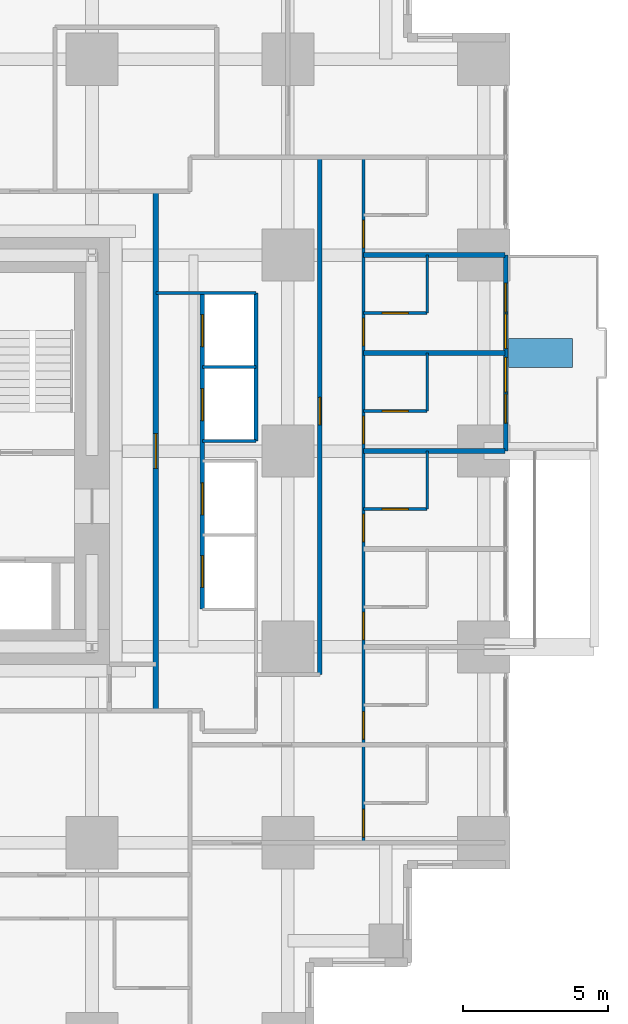
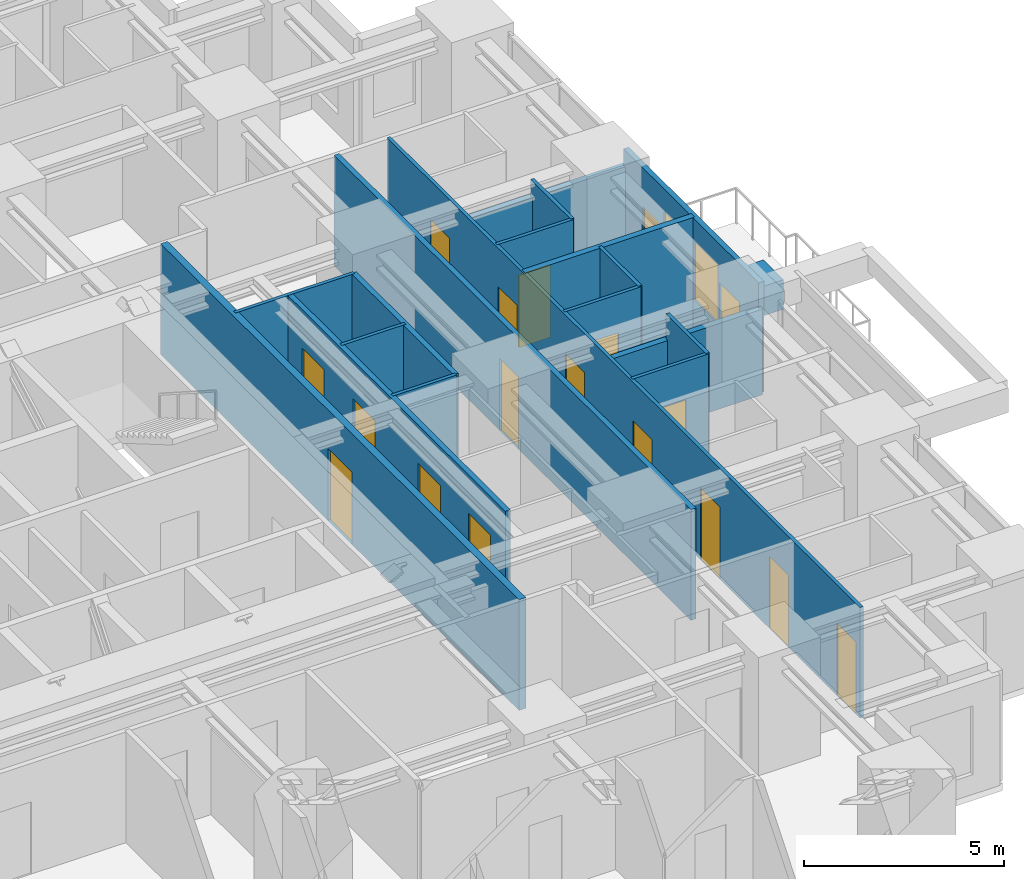
# One storey, part 11 of 14: 19 walls, 18 doors, 2 windows, 20 openings.
"""IFC4 building model written with IfcOpenShell, lengths in metres."""

from ifc_helpers import new_model, si_unit, direction, frame, frame_2d, origin, place, context, subcontext, project, spatial, rectangle, extrude, material, layer, layer_set, type_object, element, fill, save


model = new_model("IFC4")

# Units and contexts
model_context = context("Model", 3, precision=1e-05, world=origin(), true_north=direction((0.0, 1.0)))
body_context = subcontext(model_context, "Body", "Model", "MODEL_VIEW")
ifc_project = project(units=[si_unit("LENGTHUNIT", "METRE"), si_unit("AREAUNIT", "SQUARE_METRE"), si_unit("VOLUMEUNIT", "CUBIC_METRE"), si_unit("PLANEANGLEUNIT", "RADIAN"), si_unit("MASSUNIT", "GRAM", prefix="KILO")], contexts=[model_context])

# Site, building, storey
site_placement = place(None, origin())
site = spatial("IfcSite", under=ifc_project, at=site_placement, CompositionType="ELEMENT")
building_placement = place(site_placement, origin())
building = spatial("IfcBuilding", under=site, at=building_placement, Name="Nyansa Garden Tower", CompositionType="ELEMENT")
storey_placement = place(building_placement, frame((0.0, 0.0, 57.60009765625)))
storey = spatial("IfcBuildingStorey", under=building, at=storey_placement, Name="L15", CompositionType="ELEMENT", Elevation=57.60009765625)

# Walls
ifc_material_1 = material(Name="Dense blockwork, plastered both sides, 55 dB", Category="masonry")
ifc_layer_1 = layer(ifc_material_1, 0.175048828125)
ifc_layer_set_1 = layer_set([ifc_layer_1], Name="Acoustic party wall PW175")
wall_type_1 = type_object("IfcWallType", Name="Acoustic party wall PW175", PredefinedType="PARTITIONING", material=ifc_layer_set_1)
wall_1_placement = place(storey_placement, frame((36.35009765625, 20.25, 0.0), z_axis=(0.0, 0.0, 1.0), x_axis=(1.0, 0.0, 0.0)))
element("IfcWall", 1, at=wall_1_placement, inside=storey, type_object=wall_type_1, Name="Party wall", PredefinedType="PARTITIONING", context=body_context, shape_type="SweptSolid", body=[
    extrude(rectangle(XDim=4.8837890625, YDim=0.175048828125, at=frame_2d((2.44189453125, 0.0))), origin(), (0.0, 0.0, 1.0), 2.60986328125),
])
wall_2_placement = place(storey_placement, frame((36.35009765625, 23.625, 0.0), z_axis=(0.0, 0.0, 1.0), x_axis=(1.0, 0.0, 0.0)))
element("IfcWall", 2, at=wall_2_placement, inside=storey, type_object=wall_type_1, Name="Party wall", PredefinedType="PARTITIONING", context=body_context, shape_type="SweptSolid", body=[
    extrude(rectangle(XDim=4.8837890625, YDim=0.175048828125, at=frame_2d((2.44189453125, 0.0))), origin(), (0.0, 0.0, 1.0), 3.375),
])
wall_3_placement = place(storey_placement, frame((36.35009765625, 27.0, 0.0), z_axis=(0.0, 0.0, 1.0), x_axis=(1.0, 0.0, 0.0)))
element("IfcWall", 3, at=wall_3_placement, inside=storey, type_object=wall_type_1, Name="Party wall", PredefinedType="PARTITIONING", context=body_context, shape_type="SweptSolid", body=[
    extrude(rectangle(XDim=4.8837890625, YDim=0.175048828125, at=frame_2d((2.44189453125, 0.0))), origin(), (0.0, 0.0, 1.0), 2.876953125),
])

# Wall, openings, doors, windows
ifc_material_2 = material(Name="Black aluminium framed glazed screen", Category="aluminium")
ifc_layer_2 = layer(ifc_material_2, 0.14990234375)
ifc_layer_set_2 = layer_set([ifc_layer_2], Name="Balcony screen wall BW150")
wall_type_2 = type_object("IfcWallType", Name="Balcony screen wall BW150", PredefinedType="SOLIDWALL", material=ifc_layer_set_2)
wall_4_placement = place(storey_placement, frame((41.25, 27.0, 0.0), z_axis=(0.0, 0.0, 1.0), x_axis=(0.0, -1.0, 0.0)))
wall_4 = element("IfcWall", 4, at=wall_4_placement, inside=storey, type_object=wall_type_2, Name="Glazed screen wall L15 E", PredefinedType="SOLIDWALL", context=body_context, shape_type="SweptSolid", body=[
    extrude(rectangle(XDim=6.75, YDim=0.14990234375, at=frame_2d((3.375, 0.0))), origin(), (0.0, 0.0, 1.0), 3.375),
])
opening_1_placement = place(wall_4_placement, frame((0.96240234375, 0.0, 0.0)))
opening_1 = element("IfcOpeningElement", 5, at=opening_1_placement, cuts=wall_4, Name="Opening D20", PredefinedType="OPENING", context=body_context, shape_type="SweptSolid", body=[
    extrude(rectangle(XDim=1.0, YDim=2.199951171875, at=frame_2d((0.5, 1.10009765625))), frame((0.0, 0.0849609375, 0.0), z_axis=(0.0, -1.0, 0.0), x_axis=(1.0, 0.0, 0.0)), (0.0, 0.0, 1.0), 0.169921875),
])
opening_2_placement = place(wall_4_placement, frame((2.02490234375, 0.0, 0.89990234375)))
opening_2 = element("IfcOpeningElement", 6, at=opening_2_placement, cuts=wall_4, Name="Opening W6", PredefinedType="OPENING", context=body_context, shape_type="SweptSolid", body=[
    extrude(rectangle(XDim=1.199951171875, YDim=1.800048828125, at=frame_2d((0.60009765625, 0.89990234375))), frame((0.0, 0.0849609375, 0.0), z_axis=(0.0, -1.0, 0.0), x_axis=(1.0, 0.0, 0.0)), (0.0, 0.0, 1.0), 0.169921875),
])
opening_3_placement = place(wall_4_placement, frame((4.78759765625, 0.0, 0.0)))
opening_3 = element("IfcOpeningElement", 7, at=opening_3_placement, cuts=wall_4, Name="Opening D20", PredefinedType="OPENING", context=body_context, shape_type="SweptSolid", body=[
    extrude(rectangle(XDim=1.0, YDim=2.199951171875, at=frame_2d((0.5, 1.10009765625))), frame((0.0, 0.0849609375, 0.0), z_axis=(0.0, -1.0, 0.0), x_axis=(1.0, 0.0, 0.0)), (0.0, 0.0, 1.0), 0.169921875),
])
opening_4_placement = place(wall_4_placement, frame((3.52490234375, 0.0, 0.89990234375)))
opening_4 = element("IfcOpeningElement", 8, at=opening_4_placement, cuts=wall_4, Name="Opening W6", PredefinedType="OPENING", context=body_context, shape_type="SweptSolid", body=[
    extrude(rectangle(XDim=1.199951171875, YDim=1.800048828125, at=frame_2d((0.60009765625, 0.89990234375))), frame((0.0, 0.0849609375, 0.0), z_axis=(0.0, -1.0, 0.0), x_axis=(1.0, 0.0, 0.0)), (0.0, 0.0, 1.0), 0.169921875),
])
ifc_material_3 = material(Name="Black aluminium framed glazed door", Category="aluminium")
door_type_1 = type_object("IfcDoorType", Name="Balcony door D20 1000x2200", OperationType="NOTDEFINED", PredefinedType="DOOR", material=ifc_material_3)
door_1_placement = place(opening_1_placement, origin())
door_1 = element("IfcDoor", 9, at=door_1_placement, inside=storey, type_object=door_type_1, Name="Balcony door L15", OperationType="SINGLE_SWING_LEFT", OverallHeight=2.199951171875, OverallWidth=1.0, PredefinedType="DOOR", context=body_context, shape_type="SweptSolid", body=[
    extrude(rectangle(XDim=1.0, YDim=2.199951171875, at=frame_2d((0.5, 1.10009765625))), frame((0.0, 0.02490234375, 0.0), z_axis=(0.0, -1.0, 0.0), x_axis=(1.0, 0.0, 0.0)), (0.0, 0.0, 1.0), 0.050048828125),
])
fill(opening_1, door_1)
door_2_placement = place(opening_3_placement, origin())
door_2 = element("IfcDoor", 10, at=door_2_placement, inside=storey, type_object=door_type_1, Name="Balcony door L15", OperationType="SINGLE_SWING_RIGHT", OverallHeight=2.199951171875, OverallWidth=1.0, PredefinedType="DOOR", context=body_context, shape_type="SweptSolid", body=[
    extrude(rectangle(XDim=1.0, YDim=2.199951171875, at=frame_2d((0.5, 1.10009765625))), frame((0.0, 0.02490234375, 0.0), z_axis=(0.0, -1.0, 0.0), x_axis=(1.0, 0.0, 0.0)), (0.0, 0.0, 1.0), 0.050048828125),
])
fill(opening_3, door_2)
ifc_material_4 = material(Name="Black aluminium frame, dark tinted double glazing", Category="aluminium")
window_type = type_object("IfcWindowType", Name="Balcony window W6 1200x1800", PartitioningType="SINGLE_PANEL", PredefinedType="WINDOW", material=ifc_material_4)
window_1_placement = place(opening_2_placement, origin())
window_1 = element("IfcWindow", 11, at=window_1_placement, inside=storey, type_object=window_type, Name="Window L15", OverallHeight=1.800048828125, OverallWidth=1.199951171875, PartitioningType="SINGLE_PANEL", PredefinedType="WINDOW", context=body_context, shape_type="SweptSolid", body=[
    extrude(rectangle(XDim=1.199951171875, YDim=1.800048828125, at=frame_2d((0.60009765625, 0.89990234375))), frame((0.0, 0.030029296875, 0.0), z_axis=(0.0, -1.0, 0.0), x_axis=(1.0, 0.0, 0.0)), (0.0, 0.0, 1.0), 0.06005859375),
])
fill(opening_2, window_1)
window_2_placement = place(opening_4_placement, origin())
window_2 = element("IfcWindow", 12, at=window_2_placement, inside=storey, type_object=window_type, Name="Window L15", OverallHeight=1.800048828125, OverallWidth=1.199951171875, PartitioningType="SINGLE_PANEL", PredefinedType="WINDOW", context=body_context, shape_type="SweptSolid", body=[
    extrude(rectangle(XDim=1.199951171875, YDim=1.800048828125, at=frame_2d((0.60009765625, 0.89990234375))), frame((0.0, 0.030029296875, 0.0), z_axis=(0.0, -1.0, 0.0), x_axis=(1.0, 0.0, 0.0)), (0.0, 0.0, 1.0), 0.06005859375),
])
fill(opening_4, window_2)

# Wall, opening, door
ifc_material_5 = material(Name="Concrete blockwork, plastered, 60 minute fire resisting", Category="masonry")
ifc_layer_3 = layer(ifc_material_5, 0.199951171875)
ifc_layer_set_3 = layer_set([ifc_layer_3], Name="Corridor wall FW200")
wall_type_3 = type_object("IfcWallType", Name="Corridor wall FW200", PredefinedType="PARTITIONING", material=ifc_layer_set_3)
wall_5_placement = place(storey_placement, frame((29.199951171875, 11.300048828125, 0.0), z_axis=(0.0, 0.0, 1.0), x_axis=(0.0, 1.0, 0.0)))
wall_5 = element("IfcWall", 13, at=wall_5_placement, inside=storey, type_object=wall_type_3, Name="Corridor wall", PredefinedType="PARTITIONING", context=body_context, shape_type="SweptSolid", body=[
    extrude(rectangle(XDim=17.89990234375, YDim=0.199951171875, at=frame_2d((8.949951171875, 0.0))), origin(), (0.0, 0.0, 1.0), 3.375),
])
opening_5_placement = place(wall_5_placement, frame((8.35009765625, 0.0, 0.0)))
opening_5 = element("IfcOpeningElement", 14, at=opening_5_placement, cuts=wall_5, Name="Opening D06", PredefinedType="OPENING", context=body_context, shape_type="SweptSolid", body=[
    extrude(rectangle(XDim=1.199951171875, YDim=2.199951171875, at=frame_2d((0.60009765625, 1.10009765625))), frame((0.0, 0.10986328125, 0.0), z_axis=(0.0, -1.0, 0.0), x_axis=(1.0, 0.0, 0.0)), (0.0, 0.0, 1.0), 0.219970703125),
])
ifc_material_6 = material(Name="Steel door, 120 minute fire resisting", Category="steel")
door_type_2 = type_object("IfcDoorType", Name="Lobby door D06 1200x2200", OperationType="DOUBLE_DOOR_SINGLE_SWING", PredefinedType="DOOR", material=ifc_material_6)
door_3_placement = place(opening_5_placement, origin())
door_3 = element("IfcDoor", 15, at=door_3_placement, inside=storey, type_object=door_type_2, Name="Low-rise lift lobby door", OperationType="DOUBLE_DOOR_SINGLE_SWING", OverallHeight=2.199951171875, OverallWidth=1.199951171875, PredefinedType="DOOR", context=body_context, shape_type="SweptSolid", body=[
    extrude(rectangle(XDim=1.199951171875, YDim=2.199951171875, at=frame_2d((0.60009765625, 1.10009765625))), frame((0.0, 0.02490234375, 0.0), z_axis=(0.0, -1.0, 0.0), x_axis=(1.0, 0.0, 0.0)), (0.0, 0.0, 1.0), 0.050048828125),
])
fill(opening_5, door_3)

# Walls
ifc_material_7 = material(Name="Steel-stud shaft wall, two layers fire-rated board, EI 120", Category="steel")
ifc_layer_4 = layer(ifc_material_7, 0.10009765625)
ifc_layer_set_4 = layer_set([ifc_layer_4], Name="Lift shaft wall SW100")
wall_type_4 = type_object("IfcWallType", Name="Lift shaft wall SW100", PredefinedType="SHEAR", material=ifc_layer_set_4)
wall_6_placement = place(storey_placement, frame((29.199951171875, 25.699951171875, 0.0), z_axis=(0.0, 0.0, 1.0), x_axis=(1.0, 0.0, 0.0)))
element("IfcWall", 16, at=wall_6_placement, inside=storey, type_object=wall_type_4, Name="Lift shaft wall", PredefinedType="SHEAR", context=body_context, shape_type="SweptSolid", body=[
    extrude(rectangle(XDim=3.449951171875, YDim=0.10009765625, at=frame_2d((1.72509765625, 0.0))), origin(), (0.0, 0.0, 1.0), 3.375),
])
for number, where, z_axis, x_axis, name in (
    (17, (30.800048828125, 20.60009765625, 0.0), (0.0, 0.0, 1.0), (1.0, 0.0, 0.0), "Lift shaft wall"),
    (18, (30.800048828125, 23.14990234375, 0.0), (0.0, 0.0, 1.0), (1.0, 0.0, 0.0), "Lift shaft wall"),
):
    element("IfcWall", number, at=place(storey_placement, frame(where, z_axis=z_axis, x_axis=x_axis)), inside=storey, type_object=wall_type_4, Name=name, PredefinedType="SHEAR", context=body_context, shape_type="SweptSolid", body=[
        extrude(rectangle(XDim=1.849853515625, YDim=0.10009765625, at=frame_2d((0.9248046875, 0.0))), origin(), (0.0, 0.0, 1.0), 3.375),
    ])

# Wall, openings, doors
ifc_material_8 = material(Name="Blockwork, plastered both sides", Category="masonry")
ifc_layer_5 = layer(ifc_material_8, 0.14990234375)
ifc_layer_set_5 = layer_set([ifc_layer_5], Name="Partition PW150")
wall_type_5 = type_object("IfcWallType", Name="Partition PW150", PredefinedType="PARTITIONING", material=ifc_layer_set_5)
wall_7_placement = place(storey_placement, frame((30.800048828125, 14.800048828125, 0.0), z_axis=(0.0, 0.0, 1.0), x_axis=(0.0, 1.0, 0.0)))
wall_7 = element("IfcWall", 19, at=wall_7_placement, inside=storey, type_object=wall_type_5, Name="Partition", PredefinedType="PARTITIONING", context=body_context, shape_type="SweptSolid", body=[
    extrude(rectangle(XDim=10.89990234375, YDim=0.14990234375, at=frame_2d((5.449951171875, 0.0))), origin(), (0.0, 0.0, 1.0), 3.375),
])
opening_6_placement = place(wall_7_placement, frame((0.75, 0.0, 0.0)))
opening_6 = element("IfcOpeningElement", 20, at=opening_6_placement, cuts=wall_7, Name="Opening LD-A", PredefinedType="OPENING", context=body_context, shape_type="SweptSolid", body=[
    extrude(rectangle(XDim=1.10009765625, YDim=2.199951171875, at=frame_2d((0.550048828125, 1.10009765625))), frame((0.0, 0.0849609375, 0.0), z_axis=(0.0, -1.0, 0.0), x_axis=(1.0, 0.0, 0.0)), (0.0, 0.0, 1.0), 0.169921875),
])
opening_7_placement = place(wall_7_placement, frame((3.25, 0.0, 0.0)))
opening_7 = element("IfcOpeningElement", 21, at=opening_7_placement, cuts=wall_7, Name="Opening LD-A", PredefinedType="OPENING", context=body_context, shape_type="SweptSolid", body=[
    extrude(rectangle(XDim=1.10009765625, YDim=2.199951171875, at=frame_2d((0.550048828125, 1.10009765625))), frame((0.0, 0.0849609375, 0.0), z_axis=(0.0, -1.0, 0.0), x_axis=(1.0, 0.0, 0.0)), (0.0, 0.0, 1.0), 0.169921875),
])
opening_8_placement = place(wall_7_placement, frame((6.5, 0.0, 0.0)))
opening_8 = element("IfcOpeningElement", 22, at=opening_8_placement, cuts=wall_7, Name="Opening LD-A", PredefinedType="OPENING", context=body_context, shape_type="SweptSolid", body=[
    extrude(rectangle(XDim=1.10009765625, YDim=2.199951171875, at=frame_2d((0.550048828125, 1.10009765625))), frame((0.0, 0.0849609375, 0.0), z_axis=(0.0, -1.0, 0.0), x_axis=(1.0, 0.0, 0.0)), (0.0, 0.0, 1.0), 0.169921875),
])
opening_9_placement = place(wall_7_placement, frame((9.050048828125, 0.0, 0.0)))
opening_9 = element("IfcOpeningElement", 23, at=opening_9_placement, cuts=wall_7, Name="Opening LD-A", PredefinedType="OPENING", context=body_context, shape_type="SweptSolid", body=[
    extrude(rectangle(XDim=1.10009765625, YDim=2.199951171875, at=frame_2d((0.550048828125, 1.10009765625))), frame((0.0, 0.0849609375, 0.0), z_axis=(0.0, -1.0, 0.0), x_axis=(1.0, 0.0, 0.0)), (0.0, 0.0, 1.0), 0.169921875),
])
ifc_material_9 = material(Name="Stainless steel centre-opening landing door of the low-rise lift, E 120", Category="steel")
door_type_3 = type_object("IfcDoorType", Name="Lift landing door LD-A 1100x2200", OperationType="DOUBLE_DOOR_SLIDING", PredefinedType="DOOR", material=ifc_material_9)
door_4_placement = place(opening_6_placement, origin())
door_4 = element("IfcDoor", 24, at=door_4_placement, inside=storey, type_object=door_type_3, Name="Landing door A1", OperationType="DOUBLE_DOOR_SLIDING", OverallHeight=2.199951171875, OverallWidth=1.10009765625, PredefinedType="DOOR", context=body_context, shape_type="SweptSolid", body=[
    extrude(rectangle(XDim=1.10009765625, YDim=2.199951171875, at=frame_2d((0.550048828125, 1.10009765625))), frame((0.0, 0.02490234375, 0.0), z_axis=(0.0, -1.0, 0.0), x_axis=(1.0, 0.0, 0.0)), (0.0, 0.0, 1.0), 0.050048828125),
])
fill(opening_6, door_4)
door_5_placement = place(opening_7_placement, origin())
door_5 = element("IfcDoor", 25, at=door_5_placement, inside=storey, type_object=door_type_3, Name="Landing door A2", OperationType="DOUBLE_DOOR_SLIDING", OverallHeight=2.199951171875, OverallWidth=1.10009765625, PredefinedType="DOOR", context=body_context, shape_type="SweptSolid", body=[
    extrude(rectangle(XDim=1.10009765625, YDim=2.199951171875, at=frame_2d((0.550048828125, 1.10009765625))), frame((0.0, 0.02490234375, 0.0), z_axis=(0.0, -1.0, 0.0), x_axis=(1.0, 0.0, 0.0)), (0.0, 0.0, 1.0), 0.050048828125),
])
fill(opening_7, door_5)
door_6_placement = place(opening_8_placement, origin())
door_6 = element("IfcDoor", 26, at=door_6_placement, inside=storey, type_object=door_type_3, Name="Landing door A3", OperationType="DOUBLE_DOOR_SLIDING", OverallHeight=2.199951171875, OverallWidth=1.10009765625, PredefinedType="DOOR", context=body_context, shape_type="SweptSolid", body=[
    extrude(rectangle(XDim=1.10009765625, YDim=2.199951171875, at=frame_2d((0.550048828125, 1.10009765625))), frame((0.0, 0.02490234375, 0.0), z_axis=(0.0, -1.0, 0.0), x_axis=(1.0, 0.0, 0.0)), (0.0, 0.0, 1.0), 0.050048828125),
])
fill(opening_8, door_6)
door_7_placement = place(opening_9_placement, origin())
door_7 = element("IfcDoor", 27, at=door_7_placement, inside=storey, type_object=door_type_3, Name="Landing door A4", OperationType="DOUBLE_DOOR_SLIDING", OverallHeight=2.199951171875, OverallWidth=1.10009765625, PredefinedType="DOOR", context=body_context, shape_type="SweptSolid", body=[
    extrude(rectangle(XDim=1.10009765625, YDim=2.199951171875, at=frame_2d((0.550048828125, 1.10009765625))), frame((0.0, 0.02490234375, 0.0), z_axis=(0.0, -1.0, 0.0), x_axis=(1.0, 0.0, 0.0)), (0.0, 0.0, 1.0), 0.050048828125),
])
fill(opening_9, door_7)

# Wall
wall_8_placement = place(storey_placement, frame((32.64990234375, 20.60009765625, 0.0), z_axis=(0.0, 0.0, 1.0), x_axis=(0.0, 1.0, 0.0)))
element("IfcWall", 28, at=wall_8_placement, inside=storey, type_object=wall_type_5, Name="Partition", PredefinedType="PARTITIONING", context=body_context, shape_type="SweptSolid", body=[
    extrude(rectangle(XDim=5.099853515625, YDim=0.14990234375, at=frame_2d((2.5498046875, 0.0))), origin(), (0.0, 0.0, 1.0), 3.375),
])

# Wall, opening, door
wall_9_placement = place(storey_placement, frame((34.85009765625, 12.550048828125, 0.0), z_axis=(0.0, 0.0, 1.0), x_axis=(0.0, 1.0, 0.0)))
wall_9 = element("IfcWall", 29, at=wall_9_placement, inside=storey, type_object=wall_type_5, Name="Partition", PredefinedType="PARTITIONING", context=body_context, shape_type="SweptSolid", body=[
    extrude(rectangle(XDim=17.824951171875, YDim=0.14990234375, at=frame_2d((8.91259765625, 0.0))), origin(), (0.0, 0.0, 1.0), 3.375),
])
opening_10_placement = place(wall_9_placement, frame((8.60009765625, 0.0, 0.0)))
opening_10 = element("IfcOpeningElement", 30, at=opening_10_placement, cuts=wall_9, Name="Opening D01", PredefinedType="OPENING", context=body_context, shape_type="SweptSolid", body=[
    extrude(rectangle(XDim=0.949951171875, YDim=2.199951171875, at=frame_2d((0.47509765625, 1.10009765625))), frame((0.0, 0.0849609375, 0.0), z_axis=(0.0, -1.0, 0.0), x_axis=(1.0, 0.0, 0.0)), (0.0, 0.0, 1.0), 0.169921875),
])
ifc_material_10 = material(Name="Timber flush door, 30 minute fire resisting", Category="wood")
door_type_4 = type_object("IfcDoorType", Name="Bedroom door D01 950x2200", OperationType="SINGLE_SWING_LEFT", PredefinedType="DOOR", material=ifc_material_10)
door_8_placement = place(opening_10_placement, origin())
door_8 = element("IfcDoor", 31, at=door_8_placement, inside=storey, type_object=door_type_4, Name="Door L15-048", OperationType="SINGLE_SWING_LEFT", OverallHeight=2.199951171875, OverallWidth=0.949951171875, PredefinedType="DOOR", context=body_context, shape_type="SweptSolid", body=[
    extrude(rectangle(XDim=0.949951171875, YDim=2.199951171875, at=frame_2d((0.47509765625, 1.10009765625))), frame((0.0, 0.02490234375, 0.0), z_axis=(0.0, -1.0, 0.0), x_axis=(1.0, 0.0, 0.0)), (0.0, 0.0, 1.0), 0.050048828125),
])
fill(opening_10, door_8)

# Wall
ifc_material_11 = material(Name="Concrete C40/50 planter, waterproofed", Category="concrete")
ifc_layer_6 = layer(ifc_material_11, 1.0)
ifc_layer_set_6 = layer_set([ifc_layer_6], Name="Tree planter TP1")
wall_type_6 = type_object("IfcWallType", Name="Tree planter TP1", PredefinedType="USERDEFINED", material=ifc_layer_set_6)
wall_10_placement = place(storey_placement, frame((41.35009765625, 23.625, 0.0), z_axis=(0.0, 0.0, 1.0), x_axis=(1.0, 0.0, 0.0)))
element("IfcWall", 32, at=wall_10_placement, inside=storey, type_object=wall_type_6, Name="Tree planter L15", ObjectType="TREE PLANTER", PredefinedType="USERDEFINED", context=body_context, shape_type="SweptSolid", body=[
    extrude(rectangle(XDim=2.199951171875, YDim=1.0, at=frame_2d((1.10009765625, 0.0))), origin(), (0.0, 0.0, 1.0), 0.89990234375),
])

# Wall, openings, doors
ifc_material_12 = material(Name="Moisture resistant board on steel studs, tiled", Category="steel")
ifc_layer_7 = layer(ifc_material_12, 0.10009765625)
ifc_layer_set_7 = layer_set([ifc_layer_7], Name="Wet wall PW100")
wall_type_7 = type_object("IfcWallType", Name="Wet wall PW100", PredefinedType="PARTITIONING", material=ifc_layer_set_7)
wall_11_placement = place(storey_placement, frame((36.35009765625, 6.75, 0.0), z_axis=(0.0, 0.0, 1.0), x_axis=(0.0, 1.0, 0.0)))
wall_11 = element("IfcWall", 33, at=wall_11_placement, inside=storey, type_object=wall_type_7, Name="Wet wall", PredefinedType="PARTITIONING", context=body_context, shape_type="SweptSolid", body=[
    extrude(rectangle(XDim=23.625, YDim=0.10009765625, at=frame_2d((11.8125, 0.0))), origin(), (0.0, 0.0, 1.0), 3.375),
])
opening_11_placement = place(wall_11_placement, frame((0.199951171875, 0.0, 0.0)))
opening_11 = element("IfcOpeningElement", 34, at=opening_11_placement, cuts=wall_11, Name="Opening D01", PredefinedType="OPENING", context=body_context, shape_type="SweptSolid", body=[
    extrude(rectangle(XDim=0.949951171875, YDim=2.199951171875, at=frame_2d((0.47509765625, 1.10009765625))), frame((0.0, 0.06005859375, 0.0), z_axis=(0.0, -1.0, 0.0), x_axis=(1.0, 0.0, 0.0)), (0.0, 0.0, 1.0), 0.1201171875),
])
opening_12_placement = place(wall_11_placement, frame((3.574951171875, 0.0, 0.0)))
opening_12 = element("IfcOpeningElement", 35, at=opening_12_placement, cuts=wall_11, Name="Opening D14", PredefinedType="OPENING", context=body_context, shape_type="SweptSolid", body=[
    extrude(rectangle(XDim=0.949951171875, YDim=2.199951171875, at=frame_2d((0.47509765625, 1.10009765625))), frame((0.0, 0.06005859375, 0.0), z_axis=(0.0, -1.0, 0.0), x_axis=(1.0, 0.0, 0.0)), (0.0, 0.0, 1.0), 0.1201171875),
])
opening_13_placement = place(wall_11_placement, frame((7.0, 0.0, 0.0)))
opening_13 = element("IfcOpeningElement", 36, at=opening_13_placement, cuts=wall_11, Name="Opening D14", PredefinedType="OPENING", context=body_context, shape_type="SweptSolid", body=[
    extrude(rectangle(XDim=0.949951171875, YDim=2.199951171875, at=frame_2d((0.47509765625, 1.10009765625))), frame((0.0, 0.06005859375, 0.0), z_axis=(0.0, -1.0, 0.0), x_axis=(1.0, 0.0, 0.0)), (0.0, 0.0, 1.0), 0.1201171875),
])
opening_14_placement = place(wall_11_placement, frame((10.375, 0.0, 0.0)))
opening_14 = element("IfcOpeningElement", 37, at=opening_14_placement, cuts=wall_11, Name="Opening D14", PredefinedType="OPENING", context=body_context, shape_type="SweptSolid", body=[
    extrude(rectangle(XDim=0.949951171875, YDim=2.199951171875, at=frame_2d((0.47509765625, 1.10009765625))), frame((0.0, 0.06005859375, 0.0), z_axis=(0.0, -1.0, 0.0), x_axis=(1.0, 0.0, 0.0)), (0.0, 0.0, 1.0), 0.1201171875),
])
opening_15_placement = place(wall_11_placement, frame((13.75, 0.0, 0.0)))
opening_15 = element("IfcOpeningElement", 38, at=opening_15_placement, cuts=wall_11, Name="Opening D14", PredefinedType="OPENING", context=body_context, shape_type="SweptSolid", body=[
    extrude(rectangle(XDim=0.949951171875, YDim=2.199951171875, at=frame_2d((0.47509765625, 1.10009765625))), frame((0.0, 0.06005859375, 0.0), z_axis=(0.0, -1.0, 0.0), x_axis=(1.0, 0.0, 0.0)), (0.0, 0.0, 1.0), 0.1201171875),
])
opening_16_placement = place(wall_11_placement, frame((17.125, 0.0, 0.0)))
opening_16 = element("IfcOpeningElement", 39, at=opening_16_placement, cuts=wall_11, Name="Opening D14", PredefinedType="OPENING", context=body_context, shape_type="SweptSolid", body=[
    extrude(rectangle(XDim=0.949951171875, YDim=2.199951171875, at=frame_2d((0.47509765625, 1.10009765625))), frame((0.0, 0.06005859375, 0.0), z_axis=(0.0, -1.0, 0.0), x_axis=(1.0, 0.0, 0.0)), (0.0, 0.0, 1.0), 0.1201171875),
])
opening_17_placement = place(wall_11_placement, frame((20.5, 0.0, 0.0)))
opening_17 = element("IfcOpeningElement", 40, at=opening_17_placement, cuts=wall_11, Name="Opening D14", PredefinedType="OPENING", context=body_context, shape_type="SweptSolid", body=[
    extrude(rectangle(XDim=0.949951171875, YDim=2.199951171875, at=frame_2d((0.47509765625, 1.10009765625))), frame((0.0, 0.06005859375, 0.0), z_axis=(0.0, -1.0, 0.0), x_axis=(1.0, 0.0, 0.0)), (0.0, 0.0, 1.0), 0.1201171875),
])
door_9_placement = place(opening_11_placement, origin())
door_9 = element("IfcDoor", 41, at=door_9_placement, inside=storey, type_object=door_type_4, Name="Door L15-032", OperationType="SINGLE_SWING_LEFT", OverallHeight=2.199951171875, OverallWidth=0.949951171875, PredefinedType="DOOR", context=body_context, shape_type="SweptSolid", body=[
    extrude(rectangle(XDim=0.949951171875, YDim=2.199951171875, at=frame_2d((0.47509765625, 1.10009765625))), frame((0.0, 0.02490234375, 0.0), z_axis=(0.0, -1.0, 0.0), x_axis=(1.0, 0.0, 0.0)), (0.0, 0.0, 1.0), 0.050048828125),
])
fill(opening_11, door_9)
ifc_material_13 = material(Name="Timber flush door, 60 minute fire resisting, self-closing", Category="wood")
door_type_5 = type_object("IfcDoorType", Name="Studio entrance door D14 950x2200", OperationType="SINGLE_SWING_LEFT", PredefinedType="DOOR", material=ifc_material_13)
door_10_placement = place(opening_12_placement, origin())
door_10 = element("IfcDoor", 42, at=door_10_placement, inside=storey, type_object=door_type_5, Name="Door L15-035", OperationType="SINGLE_SWING_LEFT", OverallHeight=2.199951171875, OverallWidth=0.949951171875, PredefinedType="DOOR", context=body_context, shape_type="SweptSolid", body=[
    extrude(rectangle(XDim=0.949951171875, YDim=2.199951171875, at=frame_2d((0.47509765625, 1.10009765625))), frame((0.0, 0.02490234375, 0.0), z_axis=(0.0, -1.0, 0.0), x_axis=(1.0, 0.0, 0.0)), (0.0, 0.0, 1.0), 0.050048828125),
])
fill(opening_12, door_10)
door_11_placement = place(opening_13_placement, origin())
door_11 = element("IfcDoor", 43, at=door_11_placement, inside=storey, type_object=door_type_5, Name="Door L15-037", OperationType="SINGLE_SWING_LEFT", OverallHeight=2.199951171875, OverallWidth=0.949951171875, PredefinedType="DOOR", context=body_context, shape_type="SweptSolid", body=[
    extrude(rectangle(XDim=0.949951171875, YDim=2.199951171875, at=frame_2d((0.47509765625, 1.10009765625))), frame((0.0, 0.02490234375, 0.0), z_axis=(0.0, -1.0, 0.0), x_axis=(1.0, 0.0, 0.0)), (0.0, 0.0, 1.0), 0.050048828125),
])
fill(opening_13, door_11)
door_12_placement = place(opening_14_placement, origin())
door_12 = element("IfcDoor", 44, at=door_12_placement, inside=storey, type_object=door_type_5, Name="Door L15-039", OperationType="SINGLE_SWING_LEFT", OverallHeight=2.199951171875, OverallWidth=0.949951171875, PredefinedType="DOOR", context=body_context, shape_type="SweptSolid", body=[
    extrude(rectangle(XDim=0.949951171875, YDim=2.199951171875, at=frame_2d((0.47509765625, 1.10009765625))), frame((0.0, 0.02490234375, 0.0), z_axis=(0.0, -1.0, 0.0), x_axis=(1.0, 0.0, 0.0)), (0.0, 0.0, 1.0), 0.050048828125),
])
fill(opening_14, door_12)
door_13_placement = place(opening_15_placement, origin())
door_13 = element("IfcDoor", 45, at=door_13_placement, inside=storey, type_object=door_type_5, Name="Door L15-041", OperationType="SINGLE_SWING_LEFT", OverallHeight=2.199951171875, OverallWidth=0.949951171875, PredefinedType="DOOR", context=body_context, shape_type="SweptSolid", body=[
    extrude(rectangle(XDim=0.949951171875, YDim=2.199951171875, at=frame_2d((0.47509765625, 1.10009765625))), frame((0.0, 0.02490234375, 0.0), z_axis=(0.0, -1.0, 0.0), x_axis=(1.0, 0.0, 0.0)), (0.0, 0.0, 1.0), 0.050048828125),
])
fill(opening_15, door_13)
door_14_placement = place(opening_16_placement, origin())
door_14 = element("IfcDoor", 46, at=door_14_placement, inside=storey, type_object=door_type_5, Name="Door L15-043", OperationType="SINGLE_SWING_LEFT", OverallHeight=2.199951171875, OverallWidth=0.949951171875, PredefinedType="DOOR", context=body_context, shape_type="SweptSolid", body=[
    extrude(rectangle(XDim=0.949951171875, YDim=2.199951171875, at=frame_2d((0.47509765625, 1.10009765625))), frame((0.0, 0.02490234375, 0.0), z_axis=(0.0, -1.0, 0.0), x_axis=(1.0, 0.0, 0.0)), (0.0, 0.0, 1.0), 0.050048828125),
])
fill(opening_16, door_14)
door_15_placement = place(opening_17_placement, origin())
door_15 = element("IfcDoor", 47, at=door_15_placement, inside=storey, type_object=door_type_5, Name="Door L15-045", OperationType="SINGLE_SWING_LEFT", OverallHeight=2.199951171875, OverallWidth=0.949951171875, PredefinedType="DOOR", context=body_context, shape_type="SweptSolid", body=[
    extrude(rectangle(XDim=0.949951171875, YDim=2.199951171875, at=frame_2d((0.47509765625, 1.10009765625))), frame((0.0, 0.02490234375, 0.0), z_axis=(0.0, -1.0, 0.0), x_axis=(1.0, 0.0, 0.0)), (0.0, 0.0, 1.0), 0.050048828125),
])
fill(opening_17, door_15)

# Wall, opening, door
wall_12_placement = place(storey_placement, frame((36.35009765625, 18.25, 0.0), z_axis=(0.0, 0.0, 1.0), x_axis=(1.0, 0.0, 0.0)))
wall_12 = element("IfcWall", 48, at=wall_12_placement, inside=storey, type_object=wall_type_7, Name="Wet wall", PredefinedType="PARTITIONING", context=body_context, shape_type="SweptSolid", body=[
    extrude(rectangle(XDim=2.199951171875, YDim=0.10009765625, at=frame_2d((1.10009765625, 0.0))), origin(), (0.0, 0.0, 1.0), 3.375),
])
opening_18_placement = place(wall_12_placement, frame((0.64990234375, 0.0, 0.0)))
opening_18 = element("IfcOpeningElement", 49, at=opening_18_placement, cuts=wall_12, Name="Opening D02", PredefinedType="OPENING", context=body_context, shape_type="SweptSolid", body=[
    extrude(rectangle(XDim=0.89990234375, YDim=2.199951171875, at=frame_2d((0.449951171875, 1.10009765625))), frame((0.0, 0.06005859375, 0.0), z_axis=(0.0, -1.0, 0.0), x_axis=(1.0, 0.0, 0.0)), (0.0, 0.0, 1.0), 0.1201171875),
])
ifc_material_14 = material(Name="Timber flush door", Category="wood")
door_type_6 = type_object("IfcDoorType", Name="En-suite door D02 900x2200", OperationType="SINGLE_SWING_RIGHT", PredefinedType="DOOR", material=ifc_material_14)
door_16_placement = place(opening_18_placement, origin())
door_16 = element("IfcDoor", 50, at=door_16_placement, inside=storey, type_object=door_type_6, Name="Door L15-040", OperationType="SINGLE_SWING_RIGHT", OverallHeight=2.199951171875, OverallWidth=0.89990234375, PredefinedType="DOOR", context=body_context, shape_type="SweptSolid", body=[
    extrude(rectangle(XDim=0.89990234375, YDim=2.199951171875, at=frame_2d((0.449951171875, 1.10009765625))), frame((0.0, 0.02490234375, 0.0), z_axis=(0.0, -1.0, 0.0), x_axis=(1.0, 0.0, 0.0)), (0.0, 0.0, 1.0), 0.050048828125),
])
fill(opening_18, door_16)

wall_13_placement = place(storey_placement, frame((36.35009765625, 21.625, 0.0), z_axis=(0.0, 0.0, 1.0), x_axis=(1.0, 0.0, 0.0)))
wall_13 = element("IfcWall", 51, at=wall_13_placement, inside=storey, type_object=wall_type_7, Name="Wet wall", PredefinedType="PARTITIONING", context=body_context, shape_type="SweptSolid", body=[
    extrude(rectangle(XDim=2.199951171875, YDim=0.10009765625, at=frame_2d((1.10009765625, 0.0))), origin(), (0.0, 0.0, 1.0), 3.375),
])
opening_19_placement = place(wall_13_placement, frame((0.64990234375, 0.0, 0.0)))
opening_19 = element("IfcOpeningElement", 52, at=opening_19_placement, cuts=wall_13, Name="Opening D02", PredefinedType="OPENING", context=body_context, shape_type="SweptSolid", body=[
    extrude(rectangle(XDim=0.89990234375, YDim=2.199951171875, at=frame_2d((0.449951171875, 1.10009765625))), frame((0.0, 0.06005859375, 0.0), z_axis=(0.0, -1.0, 0.0), x_axis=(1.0, 0.0, 0.0)), (0.0, 0.0, 1.0), 0.1201171875),
])
door_17_placement = place(opening_19_placement, origin())
door_17 = element("IfcDoor", 53, at=door_17_placement, inside=storey, type_object=door_type_6, Name="Door L15-042", OperationType="SINGLE_SWING_RIGHT", OverallHeight=2.199951171875, OverallWidth=0.89990234375, PredefinedType="DOOR", context=body_context, shape_type="SweptSolid", body=[
    extrude(rectangle(XDim=0.89990234375, YDim=2.199951171875, at=frame_2d((0.449951171875, 1.10009765625))), frame((0.0, 0.02490234375, 0.0), z_axis=(0.0, -1.0, 0.0), x_axis=(1.0, 0.0, 0.0)), (0.0, 0.0, 1.0), 0.050048828125),
])
fill(opening_19, door_17)

wall_14_placement = place(storey_placement, frame((36.35009765625, 25.0, 0.0), z_axis=(0.0, 0.0, 1.0), x_axis=(1.0, 0.0, 0.0)))
wall_14 = element("IfcWall", 54, at=wall_14_placement, inside=storey, type_object=wall_type_7, Name="Wet wall", PredefinedType="PARTITIONING", context=body_context, shape_type="SweptSolid", body=[
    extrude(rectangle(XDim=2.199951171875, YDim=0.10009765625, at=frame_2d((1.10009765625, 0.0))), origin(), (0.0, 0.0, 1.0), 3.375),
])
opening_20_placement = place(wall_14_placement, frame((0.64990234375, 0.0, 0.0)))
opening_20 = element("IfcOpeningElement", 55, at=opening_20_placement, cuts=wall_14, Name="Opening D02", PredefinedType="OPENING", context=body_context, shape_type="SweptSolid", body=[
    extrude(rectangle(XDim=0.89990234375, YDim=2.199951171875, at=frame_2d((0.449951171875, 1.10009765625))), frame((0.0, 0.06005859375, 0.0), z_axis=(0.0, -1.0, 0.0), x_axis=(1.0, 0.0, 0.0)), (0.0, 0.0, 1.0), 0.1201171875),
])
door_18_placement = place(opening_20_placement, origin())
door_18 = element("IfcDoor", 56, at=door_18_placement, inside=storey, type_object=door_type_6, Name="Door L15-044", OperationType="SINGLE_SWING_RIGHT", OverallHeight=2.199951171875, OverallWidth=0.89990234375, PredefinedType="DOOR", context=body_context, shape_type="SweptSolid", body=[
    extrude(rectangle(XDim=0.89990234375, YDim=2.199951171875, at=frame_2d((0.449951171875, 1.10009765625))), frame((0.0, 0.02490234375, 0.0), z_axis=(0.0, -1.0, 0.0), x_axis=(1.0, 0.0, 0.0)), (0.0, 0.0, 1.0), 0.050048828125),
])
fill(opening_20, door_18)

# Walls
for number, where, z_axis, x_axis, name in (
    (57, (38.550048828125, 18.25, 0.0), (0.0, 0.0, 1.0), (0.0, 1.0, 0.0), "Wet wall"),
    (58, (38.550048828125, 21.625, 0.0), (0.0, 0.0, 1.0), (0.0, 1.0, 0.0), "Wet wall"),
    (59, (38.550048828125, 25.0, 0.0), (0.0, 0.0, 1.0), (0.0, 1.0, 0.0), "Wet wall"),
):
    element("IfcWall", number, at=place(storey_placement, frame(where, z_axis=z_axis, x_axis=x_axis)), inside=storey, type_object=wall_type_7, Name=name, PredefinedType="PARTITIONING", context=body_context, shape_type="SweptSolid", body=[
        extrude(rectangle(XDim=2.0, YDim=0.10009765625, at=frame_2d((1.0, 0.0))), origin(), (0.0, 0.0, 1.0), 3.375),
    ])

save(model, "model.ifc")
